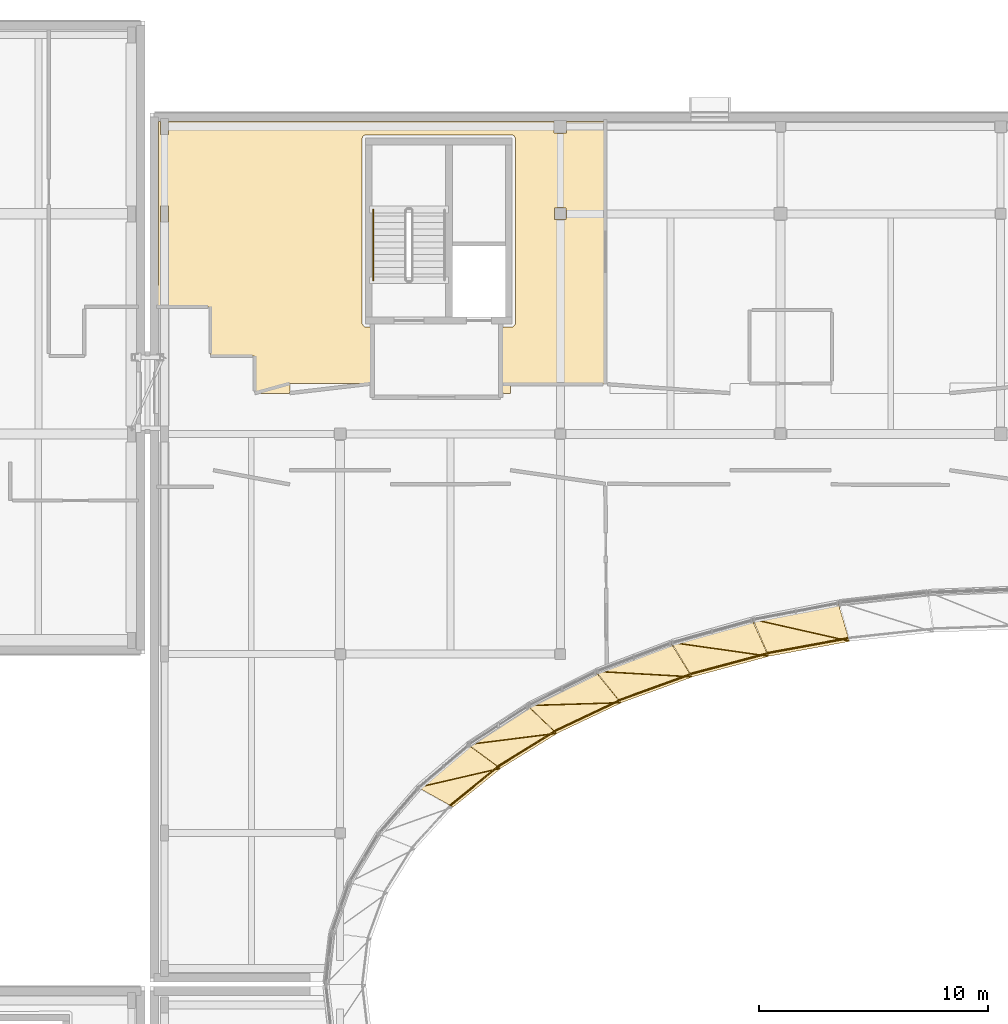
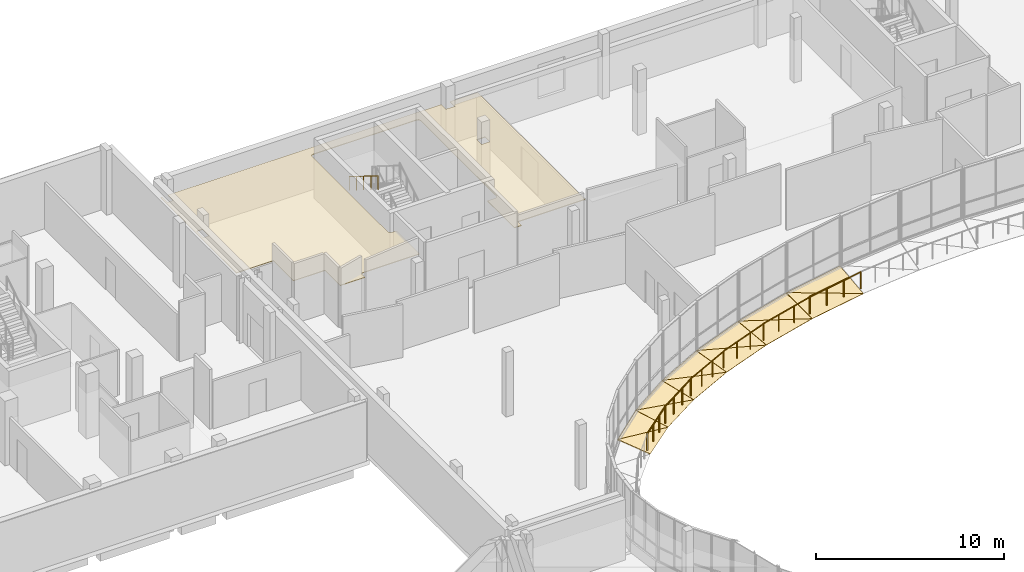
# One storey, part 65 of 73: 13 coverings, 7 railings.
"""IFC4 building model written with IfcOpenShell, lengths in metres."""

from ifc_helpers import new_model, si_unit, direction, frame, origin, origin_2d, place, context, subcontext, project, spatial, polyline, circle, outline, extrude, material, layer, layer_set, type_object, element, save


model = new_model("IFC4")

# Units and contexts
model_context = context("Model", 3, precision=1e-05, world=origin(), true_north=direction((0.0, 1.0)))
body_context = subcontext(model_context, "Body", "Model", "MODEL_VIEW")
ifc_project = project(units=[si_unit("LENGTHUNIT", "METRE"), si_unit("AREAUNIT", "SQUARE_METRE"), si_unit("VOLUMEUNIT", "CUBIC_METRE"), si_unit("PLANEANGLEUNIT", "RADIAN"), si_unit("MASSUNIT", "GRAM", prefix="KILO")], contexts=[model_context])

# Site, building, storey
site_placement = place(None, origin())
site = spatial("IfcSite", under=ifc_project, at=site_placement, CompositionType="ELEMENT")
building_placement = place(site_placement, origin())
building = spatial("IfcBuilding", under=site, at=building_placement, Name="Mzevani Central Library", CompositionType="ELEMENT")
storey_placement = place(building_placement, frame((0.0, 0.0, 9.60009765625)))
storey = spatial("IfcBuildingStorey", under=building, at=storey_placement, Name="L02", CompositionType="ELEMENT", Elevation=9.60009765625)

# Coverings
ifc_material_1 = material(Name="Limestone ashlar cladding", Category="masonry")
ifc_layer_1 = layer(ifc_material_1, 0.050048828125, Name="Limestone Ashlar Spandrel Cladding")
ifc_layer_set_1 = layer_set([ifc_layer_1], Name="Limestone ashlar cladding")
covering_type_1 = type_object("IfcCoveringType", Name="Limestone Ashlar Spandrel Cladding", PredefinedType="CLADDING", material=ifc_layer_set_1)
covering_1_placement = place(storey_placement, frame((76.607177734375, 90.955078125, -0.280029296875), z_axis=(0.089304887527, -0.484668220104, 0.870127205347), x_axis=(-0.983444547385, -0.181209332591, 0.0)))
element("IfcCovering", 1, at=covering_1_placement, inside=storey, type_object=covering_type_1, Name="L02 Curved Court Spandrel Apron 15A", PredefinedType="CLADDING", context=body_context, shape_type="SweptSolid", body=[
    extrude(outline(polyline([(0.0, 0.0), (3.577041811841854, 0.0), (3.9628220420097633, -1.9478651797821367), (0.0, 0.0)])), origin(), (0.0, 0.0, -1.0), 0.06005859375),
])
covering_2_placement = place(storey_placement, frame((76.607177734375, 90.955078125, -0.280029296875), z_axis=(0.091863279563, -0.4772187639, 0.873969901798), x_axis=(-0.952142293633, 0.214855406368, 0.217398728214)))
element("IfcCovering", 2, at=covering_2_placement, inside=storey, type_object=covering_type_1, Name="L02 Curved Court Spandrel Apron 15B", PredefinedType="CLADDING", context=body_context, shape_type="SweptSolid", body=[
    extrude(outline(polyline([(0.0, 0.0), (4.415669518345561, -2.7755575615628914e-16), (1.0311403409193853, -1.69286655760646), (0.0, 0.0)])), origin(), (0.0, 0.0, -1.0), 0.06005859375),
])
covering_3_placement = place(storey_placement, frame((73.077880859375, 90.29833984375, -0.280029296875), z_axis=(0.128844102987, -0.48147192592, 0.866939433684), x_axis=(-0.966008995784, -0.258508452598, 0.0)))
element("IfcCovering", 3, at=covering_3_placement, inside=storey, type_object=covering_type_1, Name="L02 Curved Court Spandrel Apron 16A", PredefinedType="CLADDING", context=body_context, shape_type="SweptSolid", body=[
    extrude(outline(polyline([(0.0, 0.0), (3.449022859948867, 0.0), (3.9276906777500953, -1.926033173076437), (0.0, 0.0)])), origin(), (0.0, 0.0, -1.0), 0.06005859375),
])
covering_4_placement = place(storey_placement, frame((73.077880859375, 90.29833984375, -0.280029296875), z_axis=(0.131614910603, -0.470692272699, 0.872425526752), x_axis=(-0.966011703801, 0.136622372806, 0.219444105341)))
element("IfcCovering", 4, at=covering_4_placement, inside=storey, type_object=covering_type_1, Name="L02 Curved Court Spandrel Apron 16B", PredefinedType="CLADDING", context=body_context, shape_type="SweptSolid", body=[
    extrude(outline(polyline([(0.0, 0.0), (4.37451229783114, 1.1102230246251565e-16), (1.1090582115985221, -1.6408605604399886), (0.0, 0.0)])), origin(), (0.0, 0.0, -1.0), 0.06005859375),
])
covering_5_placement = place(storey_placement, frame((69.73779296875, 89.39794921875, -0.280029296875), z_axis=(0.171799006923, -0.473720409021, 0.863755796101), x_axis=(-0.940088141141, -0.340931498819, 0.0)))
element("IfcCovering", 5, at=covering_5_placement, inside=storey, type_object=covering_type_1, Name="L02 Curved Court Spandrel Apron 17A", PredefinedType="CLADDING", context=body_context, shape_type="SweptSolid", body=[
    extrude(outline(polyline([(0.0, 0.0), (3.2854611304077723, -2.220446049250313e-16), (3.8404833083933623, -1.9050221947749868), (0.0, 0.0)])), origin(), (0.0, 0.0, -1.0), 0.06005859375),
])
covering_6_placement = place(storey_placement, frame((69.73779296875, 89.39794921875, -0.280029296875), z_axis=(0.174213437291, -0.459752838853, 0.870791022826), x_axis=(-0.973030265654, 0.055411357163, 0.223923387835)))
element("IfcCovering", 6, at=covering_6_placement, inside=storey, type_object=covering_type_1, Name="L02 Curved Court Spandrel Apron 17B", PredefinedType="CLADDING", context=body_context, shape_type="SweptSolid", body=[
    extrude(outline(polyline([(0.0, 0.0), (4.287006135362221, 5.551115123125783e-17), (1.1808114679982757, -1.589101199834445), (0.0, 0.0)])), origin(), (0.0, 0.0, -1.0), 0.06005859375),
])
covering_7_placement = place(storey_placement, frame((66.64306640625, 88.26953125, -0.280029296875), z_axis=(0.218536262883, -0.459146895755, 0.861060990827), x_axis=(-0.902940744527, -0.429765065905, 0.0)))
element("IfcCovering", 7, at=covering_7_placement, inside=storey, type_object=covering_type_1, Name="L02 Curved Court Spandrel Apron 18A", PredefinedType="CLADDING", context=body_context, shape_type="SweptSolid", body=[
    extrude(outline(polyline([(0.0, 0.0), (3.093191626280768, 2.220446049250313e-16), (3.704407966164319, -1.8878225065620784), (0.0, 0.0)])), origin(), (0.0, 0.0, -1.0), 0.06005859375),
])
covering_8_placement = place(storey_placement, frame((66.64306640625, 88.26953125, -0.280029296875), z_axis=(0.220005433826, -0.442390294141, 0.869418447433), x_axis=(-0.972521349113, -0.029888501793, 0.230887208351)))
element("IfcCovering", 8, at=covering_8_placement, inside=storey, type_object=covering_type_1, Name="L02 Curved Court Spandrel Apron 18B", PredefinedType="CLADDING", context=body_context, shape_type="SweptSolid", body=[
    extrude(outline(polyline([(0.0, 0.0), (4.157705159828435, -5.551115123125783e-17), (1.2444848473757262, -1.5398591193421156), (0.0, 0.0)])), origin(), (0.0, 0.0, -1.0), 0.06005859375),
])
covering_9_placement = place(storey_placement, frame((63.845947265625, 86.9326171875, -0.280029296875), z_axis=(0.269018704057, -0.434701990305, 0.859455127678), x_axis=(-0.850337388032, -0.526237899162, 0.0)))
element("IfcCovering", 9, at=covering_9_placement, inside=storey, type_object=covering_type_1, Name="L02 Curved Court Spandrel Apron 19A", PredefinedType="CLADDING", context=body_context, shape_type="SweptSolid", body=[
    extrude(outline(polyline([(0.0, 0.0), (2.8805776684630735, 2.220446049250313e-16), (3.523213192518316, -1.877816744370433), (0.0, 0.0)])), origin(), (0.0, 0.0, -1.0), 0.06005859375),
])
covering_10_placement = place(storey_placement, frame((63.845947265625, 86.9326171875, -0.280029296875), z_axis=(0.268977316909, -0.415966964045, 0.86869021395), x_axis=(-0.963134596497, -0.120651718025, 0.240447316408)))
element("IfcCovering", 10, at=covering_10_placement, inside=storey, type_object=covering_type_1, Name="L02 Curved Court Spandrel Apron 19B", PredefinedType="CLADDING", context=body_context, shape_type="SweptSolid", body=[
    extrude(outline(polyline([(0.0, 0.0), (3.9923961383326025, 0.0), (1.2985175550072325, -1.4956330761785224), (0.0, 0.0)])), origin(), (0.0, 0.0, -1.0), 0.06005859375),
])
covering_11_placement = place(storey_placement, frame((61.3935546875, 85.40966796875, -0.280029296875), z_axis=(0.322181179898, -0.396696722234, 0.859552789472), x_axis=(-0.776243179452, -0.63043360186, 0.0)))
element("IfcCovering", 11, at=covering_11_placement, inside=storey, type_object=covering_type_1, Name="L02 Curved Court Spandrel Apron 20A", PredefinedType="CLADDING", context=body_context, shape_type="SweptSolid", body=[
    extrude(outline(polyline([(0.0, 0.0), (2.6589152708638646, 0.0), (3.3020010174115466, -1.8784201847681783), (0.0, 0.0)])), origin(), (0.0, 0.0, -1.0), 0.06005859375),
])
covering_12_placement = place(storey_placement, frame((61.3935546875, 85.40966796875, -0.280029296875), z_axis=(0.320223987826, -0.377355530653, 0.868941540673), x_axis=(-0.942654644699, -0.218054759303, 0.252694168459)))
element("IfcCovering", 12, at=covering_12_placement, inside=storey, type_object=covering_type_1, Name="L02 Curved Court Spandrel Apron 20B", PredefinedType="CLADDING", context=body_context, shape_type="SweptSolid", body=[
    extrude(outline(polyline([(0.0, 0.0), (3.798904198519805, -1.1102230246251565e-16), (1.3403287729435043, -1.4599433727248126), (0.0, 0.0)])), origin(), (0.0, 0.0, -1.0), 0.06005859375),
])
ifc_material_2 = material(Name="Mineral wool acoustic ceiling")
ifc_layer_2 = layer(ifc_material_2, 0.0400390625, Name="Perforated Timber Acoustic Ceiling")
ifc_layer_set_2 = layer_set([ifc_layer_2], Name="Mineral wool acoustic ceiling")
covering_type_2 = type_object("IfcCoveringType", Name="Perforated Timber Acoustic Ceiling", PredefinedType="CEILING", material=ifc_layer_set_2)
covering_13_placement = place(storey_placement, frame((0.0, 0.0, 2.72998046875)))
element("IfcCovering", 13, at=covering_13_placement, inside=storey, type_object=covering_type_2, Name="L02 Stepped Atrium Study Terrace Acoustic Ceiling", PredefinedType="CEILING", context=body_context, shape_type="SweptSolid", body=[
    extrude(outline(polyline([(61.827880859375, 101.7705078125), (61.39013671875, 101.778076171875), (61.389892578125, 104.64990234375), (61.9248046875, 104.662841796875), (62.039306640625, 104.789306640625), (62.0400390625, 112.897705078125), (61.98779296875, 113.008056640625), (61.898193359375, 113.0400390625), (55.501953125, 113.0400390625), (55.401611328125, 112.998291015625), (55.360107421875, 112.89794921875), (55.360107421875, 104.80322265625), (55.461669921875, 104.66650390625), (55.809814453125, 104.65185546875), (55.80908203125, 102.1962890625), (52.2099609375, 102.18994140625), (52.202880859375, 101.7705078125), (50.679931640625, 101.77001953125), (50.669921875, 103.389892578125), (48.7412109375, 103.395263671875), (48.739990234375, 105.5400390625), (46.470458984375, 105.547119140625), (46.472412109375, 113.626220703125), (46.574951171875, 113.6298828125), (46.574951171875, 113.050048828125), (46.925048828125, 113.050048828125), (46.925048828125, 113.6298828125), (63.72509765625, 113.6298828125), (63.72509765625, 113.125), (64.27490234375, 113.125), (64.27490234375, 113.6298828125), (65.97119140625, 113.627685546875), (65.974609375, 102.172119140625), (61.8349609375, 102.1650390625), (61.827880859375, 101.7705078125)]), holes=[polyline([(46.925048828125, 109.25), (46.925048828125, 109.949951171875), (46.574951171875, 109.949951171875), (46.574951171875, 109.25), (46.925048828125, 109.25)]), polyline([(63.75, 109.85009765625), (63.75, 109.35009765625), (64.25, 109.35009765625), (64.25, 109.85009765625), (63.75, 109.85009765625)])]), origin(), (0.0, 0.0, 1.0), 0.0400390625),
])

# Railings
ifc_material_3 = material(Name="Brushed stainless steel rail", Category="steel")
railing_type_1 = type_object("IfcRailingType", Name="Stair Wall Handrail 920", PredefinedType="HANDRAIL", material=ifc_material_3)
railing_1_placement = place(storey_placement, frame((55.85009765625, 109.780029296875, 2.27490234375)))
element("IfcRailing", 14, at=railing_1_placement, inside=storey, type_object=railing_type_1, Name="L02 ST-05 stair handrail 2", PredefinedType="HANDRAIL", context=body_context, shape_type="SweptSolid", body=[
    extrude(circle(Radius=0.02392578125, at=origin_2d()), frame((0.0, 0.0, 0.89599609375), z_axis=(0.0, -0.847998304005, 0.529998940003), x_axis=(1.0, 0.0, 0.0)), (0.0, 0.0, 1.0), 3.632080078125),
    extrude(circle(Radius=0.02099609375, at=origin_2d()), origin(), (0.0, 0.0, 1.0), 0.871826171875),
    extrude(circle(Radius=0.02099609375, at=origin_2d()), frame((0.0, -0.77001953125, 0.481201171875)), (0.0, 0.0, 1.0), 0.871826171875),
    extrude(circle(Radius=0.02099609375, at=origin_2d()), frame((0.0, -1.5400390625, 0.96240234375)), (0.0, 0.0, 1.0), 0.871826171875),
    extrude(circle(Radius=0.02099609375, at=origin_2d()), frame((0.0, -2.31005859375, 1.44384765625)), (0.0, 0.0, 1.0), 0.871826171875),
    extrude(circle(Radius=0.02099609375, at=origin_2d()), frame((0.0, -3.080078125, 1.925048828125)), (0.0, 0.0, 1.0), 0.871826171875),
])
ifc_material_4 = material(Name="Anodized architectural bronze")
railing_type_2 = type_object("IfcRailingType", Name="Terrace and Court Balustrade 1100", PredefinedType="BALUSTRADE", material=ifc_material_4)
railing_2_placement = place(storey_placement, frame((76.522216796875, 91.090576171875, 0.0)))
element("IfcRailing", 15, at=railing_2_placement, inside=storey, type_object=railing_type_2, Name="L02 Elliptical Court Terrace Guard 15", PredefinedType="BALUSTRADE", context=body_context, shape_type="SweptSolid", body=[
    extrude(circle(Radius=0.02392578125, at=origin_2d()), frame((0.0, 0.0, 1.076171875), z_axis=(-0.983456708482, -0.181143320446, 0.0), x_axis=(0.181143320446, -0.983456708482, 0.0)), (0.0, 0.0, 1.0), 3.576904296875),
    extrude(circle(Radius=0.02099609375, at=origin_2d()), origin(), (0.0, 0.0, 1.0), 1.052001953125),
    extrude(circle(Radius=0.02099609375, at=origin_2d()), frame((-1.172607421875, -0.216064453125, 0.0)), (0.0, 0.0, 1.0), 1.052001953125),
    extrude(circle(Radius=0.02099609375, at=origin_2d()), frame((-2.34521484375, -0.431884765625, 0.0)), (0.0, 0.0, 1.0), 1.052001953125),
    extrude(circle(Radius=0.02099609375, at=origin_2d()), frame((-3.517822265625, -0.64794921875, 0.0)), (0.0, 0.0, 1.0), 1.052001953125),
])
railing_3_placement = place(storey_placement, frame((72.970458984375, 90.416748046875, 0.0)))
element("IfcRailing", 16, at=railing_3_placement, inside=storey, type_object=railing_type_2, Name="L02 Elliptical Court Terrace Guard 16", PredefinedType="BALUSTRADE", context=body_context, shape_type="SweptSolid", body=[
    extrude(circle(Radius=0.02392578125, at=origin_2d()), frame((0.0, 0.0, 1.076171875), z_axis=(-0.966008995784, -0.258508452598, 0.0), x_axis=(0.258508452598, -0.966008995784, 0.0)), (0.0, 0.0, 1.0), 3.448974609375),
    extrude(circle(Radius=0.02099609375, at=origin_2d()), origin(), (0.0, 0.0, 1.0), 1.052001953125),
    extrude(circle(Radius=0.02099609375, at=origin_2d()), frame((-1.110595703125, -0.297119140625, 0.0)), (0.0, 0.0, 1.0), 1.052001953125),
    extrude(circle(Radius=0.02099609375, at=origin_2d()), frame((-2.22119140625, -0.594482421875, 0.0)), (0.0, 0.0, 1.0), 1.052001953125),
    extrude(circle(Radius=0.02099609375, at=origin_2d()), frame((-3.331787109375, -0.8916015625, 0.0)), (0.0, 0.0, 1.0), 1.052001953125),
])
railing_4_placement = place(storey_placement, frame((69.61376953125, 89.498779296875, 0.0)))
element("IfcRailing", 17, at=railing_4_placement, inside=storey, type_object=railing_type_2, Name="L02 Elliptical Court Terrace Guard 17", PredefinedType="BALUSTRADE", context=body_context, shape_type="SweptSolid", body=[
    extrude(circle(Radius=0.02392578125, at=origin_2d()), frame((0.0, 0.0, 1.076171875), z_axis=(-0.940096777535, -0.340907683792, 0.0), x_axis=(0.340907683792, -0.940096777535, 0.0)), (0.0, 0.0, 1.0), 3.28564453125),
    extrude(circle(Radius=0.02099609375, at=origin_2d()), origin(), (0.0, 0.0, 1.0), 1.052001953125),
    extrude(circle(Radius=0.02099609375, at=origin_2d()), frame((-1.029541015625, -0.373291015625, 0.0)), (0.0, 0.0, 1.0), 1.052001953125),
    extrude(circle(Radius=0.02099609375, at=origin_2d()), frame((-2.059326171875, -0.746826171875, 0.0)), (0.0, 0.0, 1.0), 1.052001953125),
    extrude(circle(Radius=0.02099609375, at=origin_2d()), frame((-3.0888671875, -1.1201171875, 0.0)), (0.0, 0.0, 1.0), 1.052001953125),
])
railing_5_placement = place(storey_placement, frame((66.507080078125, 88.353759765625, 0.0)))
element("IfcRailing", 18, at=railing_5_placement, inside=storey, type_object=railing_type_2, Name="L02 Elliptical Court Terrace Guard 18", PredefinedType="BALUSTRADE", context=body_context, shape_type="SweptSolid", body=[
    extrude(circle(Radius=0.02392578125, at=origin_2d()), frame((0.0, 0.0, 1.076171875), z_axis=(-0.902940744527, -0.429765065905, 0.0), x_axis=(0.429765065905, -0.902940744527, 0.0)), (0.0, 0.0, 1.0), 3.09326171875),
    extrude(circle(Radius=0.02099609375, at=origin_2d()), origin(), (0.0, 0.0, 1.0), 1.052001953125),
    extrude(circle(Radius=0.02099609375, at=origin_2d()), frame((-0.930908203125, -0.443115234375, 0.0)), (0.0, 0.0, 1.0), 1.052001953125),
    extrude(circle(Radius=0.02099609375, at=origin_2d()), frame((-1.862060546875, -0.88623046875, 0.0)), (0.0, 0.0, 1.0), 1.052001953125),
    extrude(circle(Radius=0.02099609375, at=origin_2d()), frame((-2.79296875, -1.329345703125, 0.0)), (0.0, 0.0, 1.0), 1.052001953125),
])
railing_6_placement = place(storey_placement, frame((63.701416015625, 87.001220703125, 0.0)))
element("IfcRailing", 19, at=railing_6_placement, inside=storey, type_object=railing_type_2, Name="L02 Elliptical Court Terrace Guard 19", PredefinedType="BALUSTRADE", context=body_context, shape_type="SweptSolid", body=[
    extrude(circle(Radius=0.02392578125, at=origin_2d()), frame((0.0, 0.0, 1.076171875), z_axis=(-0.850351844492, -0.526214538538, 0.0), x_axis=(0.526214538538, -0.850351844492, 0.0)), (0.0, 0.0, 1.0), 2.880126953125),
    extrude(circle(Radius=0.02099609375, at=origin_2d()), origin(), (0.0, 0.0, 1.0), 1.052001953125),
    extrude(circle(Radius=0.02099609375, at=origin_2d()), frame((-0.81640625, -0.505126953125, 0.0)), (0.0, 0.0, 1.0), 1.052001953125),
    extrude(circle(Radius=0.02099609375, at=origin_2d()), frame((-1.6328125, -1.010498046875, 0.0)), (0.0, 0.0, 1.0), 1.052001953125),
    extrude(circle(Radius=0.02099609375, at=origin_2d()), frame((-2.44921875, -1.515625, 0.0)), (0.0, 0.0, 1.0), 1.052001953125),
])
railing_7_placement = place(storey_placement, frame((61.2431640625, 85.464111328125, 0.0)))
element("IfcRailing", 20, at=railing_7_placement, inside=storey, type_object=railing_type_2, Name="L02 Elliptical Court Terrace Guard 20", PredefinedType="BALUSTRADE", context=body_context, shape_type="SweptSolid", body=[
    extrude(circle(Radius=0.02392578125, at=origin_2d()), frame((0.0, 0.0, 1.076171875), z_axis=(-0.776288113836, -0.630378270816, 0.0), x_axis=(0.630378270816, -0.776288113836, 0.0)), (0.0, 0.0, 1.0), 2.65869140625),
    extrude(circle(Radius=0.02099609375, at=origin_2d()), origin(), (0.0, 0.0, 1.0), 1.052001953125),
    extrude(circle(Radius=0.02099609375, at=origin_2d()), frame((-0.68798828125, -0.55859375, 0.0)), (0.0, 0.0, 1.0), 1.052001953125),
    extrude(circle(Radius=0.02099609375, at=origin_2d()), frame((-1.3759765625, -1.117431640625, 0.0)), (0.0, 0.0, 1.0), 1.052001953125),
    extrude(circle(Radius=0.02099609375, at=origin_2d()), frame((-2.06396484375, -1.676025390625, 0.0)), (0.0, 0.0, 1.0), 1.052001953125),
])

save(model, "model.ifc")
